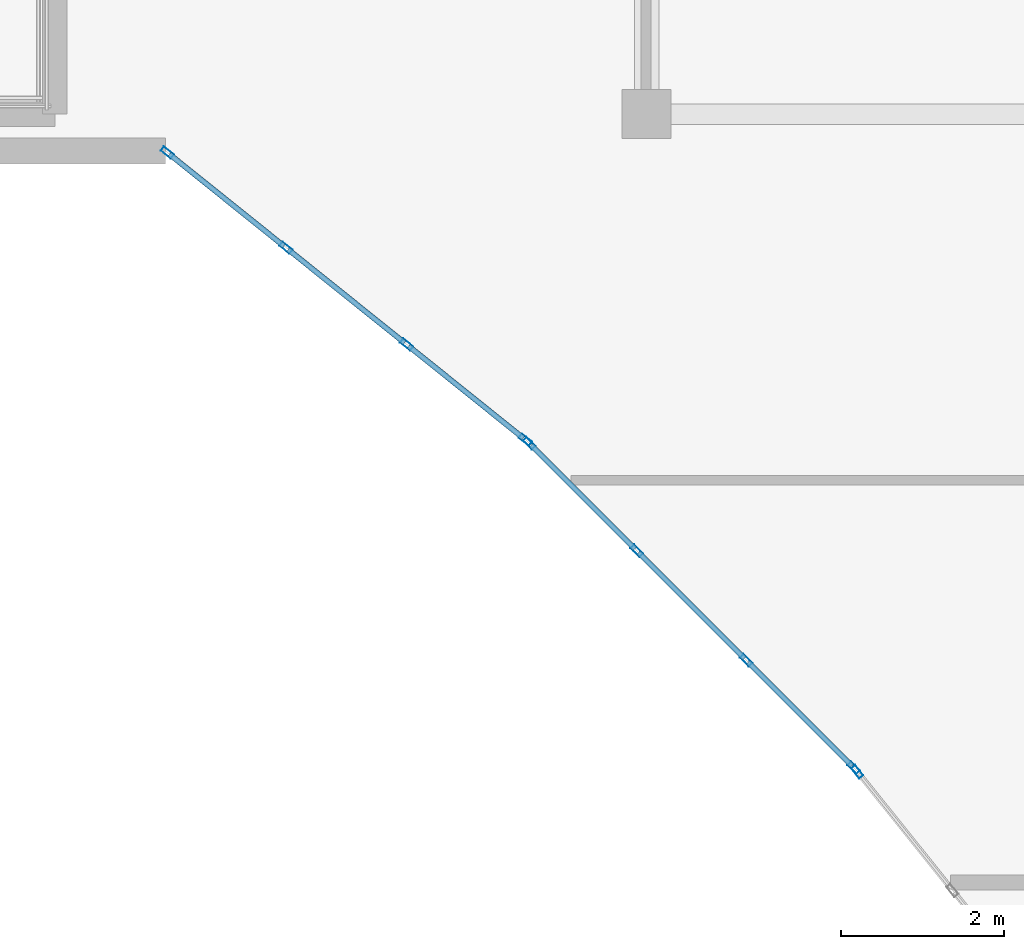
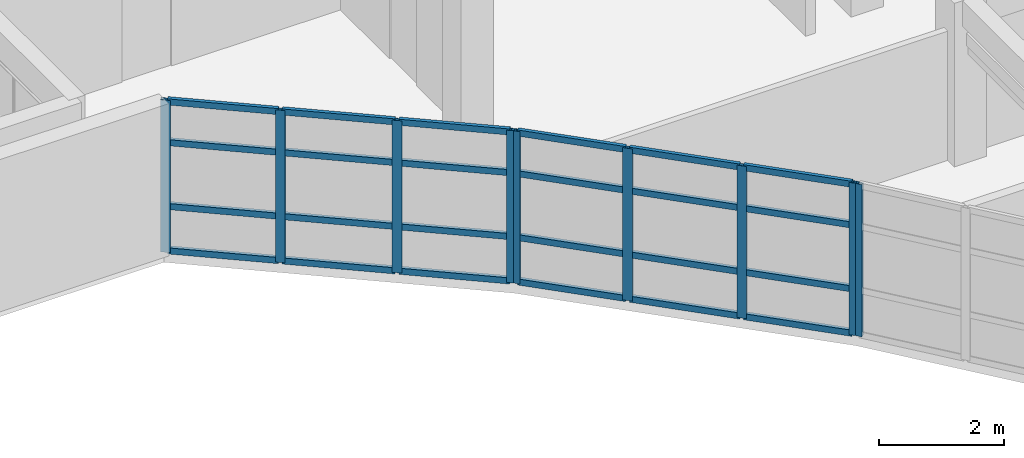
# One storey, part 18 of 72: 33 members, 3 elements without a shape of their own.
"""IFC4 building model written with IfcOpenShell, lengths in metres."""

from ifc_helpers import new_model, si_unit, direction, frame, origin, origin_2d, place, context, subcontext, project, spatial, hollow_rectangle, extrude, material, layer, layer_set, material_profile, profile_set, type_object, element, aggregate, save


model = new_model("IFC4")

# Units and contexts
model_context = context("Model", 3, precision=1e-05, world=origin(), true_north=direction((0.0, 1.0)))
body_context = subcontext(model_context, "Body", "Model", "MODEL_VIEW")
ifc_project = project(units=[si_unit("LENGTHUNIT", "METRE"), si_unit("AREAUNIT", "SQUARE_METRE"), si_unit("VOLUMEUNIT", "CUBIC_METRE"), si_unit("PLANEANGLEUNIT", "RADIAN"), si_unit("MASSUNIT", "GRAM", prefix="KILO")], contexts=[model_context])

# Site, building, storey
site_placement = place(None, origin())
site = spatial("IfcSite", under=ifc_project, at=site_placement, CompositionType="ELEMENT")
building_placement = place(site_placement, origin())
building = spatial("IfcBuilding", under=site, at=building_placement, Name="Keldmere Railside Commons", CompositionType="ELEMENT")
storey_placement = place(building_placement, frame((0.0, 0.0, 16.9599609375)))
storey = spatial("IfcBuildingStorey", under=building, at=storey_placement, Name="L05", CompositionType="ELEMENT", Elevation=16.9599609375)

# Curtain wall, members
ifc_material = material(Name="Thermally Broken Aluminium", Category="aluminium")
ifc_layer_1 = layer(ifc_material, 0.159912109375, Name="Court Chord Wintergarden CW 5400x2850")
ifc_layer_set_1 = layer_set([ifc_layer_1], Name="Thermally Broken Aluminium")
curtain_wall_type_1 = type_object("IfcCurtainWallType", Name="Court Chord Wintergarden CW 5400x2850", PredefinedType="NOTDEFINED", material=ifc_layer_set_1)
curtain_wall_1_placement = place(storey_placement, origin())
curtain_wall_1 = element("IfcCurtainWall", 1, at=curtain_wall_1_placement, inside=storey, type_object=curtain_wall_type_1, Name="CW-13 CW-L05-172", PredefinedType="NOTDEFINED")
ifc_material_profile_1 = material_profile(ifc_material, hollow_rectangle(XDim=0.06494140625, YDim=0.159912109375, WallThickness=0.00390625, at=origin_2d()), Name="ALU-MULL-65x160")
ifc_profile_set_1 = profile_set([ifc_material_profile_1], Name="Thermally Broken Aluminium")
member_type_1 = type_object("IfcMemberType", Name="Unitised Curtain Wall Mullion 65x160", PredefinedType="MULLION", material=ifc_profile_set_1)
member_1_placement = place(storey_placement, frame((160.404541015625, 96.46630859375, 0.0), z_axis=(0.0, 0.0, 1.0), x_axis=(-0.625768080915, -0.780009172323, 0.0)))
member_1 = element("IfcMember", 2, at=member_1_placement, type_object=member_type_1, Name="CW-13 mullion 1", PredefinedType="MULLION", context=body_context, shape_type="SweptSolid", body=[
    extrude(hollow_rectangle(XDim=0.06494140625, YDim=0.159912109375, WallThickness=0.00390625, at=origin_2d()), origin(), (0.0, 0.0, 1.0), 2.97998046875),
])
member_2_placement = place(storey_placement, frame((158.953369140625, 97.630615234375, 0.0), z_axis=(0.0, 0.0, 1.0), x_axis=(-0.625768080915, -0.780009172323, 0.0)))
member_2 = element("IfcMember", 3, at=member_2_placement, type_object=member_type_1, Name="CW-13 mullion 2", PredefinedType="MULLION", context=body_context, shape_type="SweptSolid", body=[
    extrude(hollow_rectangle(XDim=0.06494140625, YDim=0.159912109375, WallThickness=0.00390625, at=origin_2d()), origin(), (0.0, 0.0, 1.0), 2.97998046875),
])
member_3_placement = place(storey_placement, frame((157.4765625, 98.8154296875, 0.0), z_axis=(0.0, 0.0, 1.0), x_axis=(-0.625768080915, -0.780009172323, 0.0)))
member_3 = element("IfcMember", 4, at=member_3_placement, type_object=member_type_1, Name="CW-13 mullion 3", PredefinedType="MULLION", context=body_context, shape_type="SweptSolid", body=[
    extrude(hollow_rectangle(XDim=0.06494140625, YDim=0.159912109375, WallThickness=0.00390625, at=origin_2d()), origin(), (0.0, 0.0, 1.0), 2.97998046875),
])
member_4_placement = place(storey_placement, frame((156.025390625, 99.979736328125, 0.0), z_axis=(0.0, 0.0, 1.0), x_axis=(-0.625768080915, -0.780009172323, 0.0)))
member_4 = element("IfcMember", 5, at=member_4_placement, type_object=member_type_1, Name="CW-13 mullion 4", PredefinedType="MULLION", context=body_context, shape_type="SweptSolid", body=[
    extrude(hollow_rectangle(XDim=0.06494140625, YDim=0.159912109375, WallThickness=0.00390625, at=origin_2d()), origin(), (0.0, 0.0, 1.0), 2.97998046875),
])

ifc_layer_2 = layer(ifc_material, 0.159912109375, Name="Court Chord Wintergarden CW 4800x2850")
ifc_layer_set_2 = layer_set([ifc_layer_2], Name="Thermally Broken Aluminium")
curtain_wall_type_2 = type_object("IfcCurtainWallType", Name="Court Chord Wintergarden CW 4800x2850", PredefinedType="NOTDEFINED", material=ifc_layer_set_2)
curtain_wall_2_placement = place(storey_placement, origin())
curtain_wall_2 = element("IfcCurtainWall", 6, at=curtain_wall_2_placement, inside=storey, type_object=curtain_wall_type_2, Name="CW-12 CW-L05-173", PredefinedType="NOTDEFINED")
member_5_placement = place(storey_placement, frame((164.423095703125, 92.452880859375, 0.0), z_axis=(0.0, 0.0, 1.0), x_axis=(-0.707106781187, -0.707106781187, 0.0)))
member_5 = element("IfcMember", 7, at=member_5_placement, type_object=member_type_1, Name="CW-12 mullion 1", PredefinedType="MULLION", context=body_context, shape_type="SweptSolid", body=[
    extrude(hollow_rectangle(XDim=0.06494140625, YDim=0.159912109375, WallThickness=0.00390625, at=origin_2d()), origin(), (0.0, 0.0, 1.0), 2.97998046875),
])
member_6_placement = place(storey_placement, frame((163.107421875, 93.7685546875, 0.0), z_axis=(0.0, 0.0, 1.0), x_axis=(-0.707106781187, -0.707106781187, 0.0)))
member_6 = element("IfcMember", 8, at=member_6_placement, type_object=member_type_1, Name="CW-12 mullion 2", PredefinedType="MULLION", context=body_context, shape_type="SweptSolid", body=[
    extrude(hollow_rectangle(XDim=0.06494140625, YDim=0.159912109375, WallThickness=0.00390625, at=origin_2d()), origin(), (0.0, 0.0, 1.0), 2.97998046875),
])
member_7_placement = place(storey_placement, frame((161.7685546875, 95.107421875, 0.0), z_axis=(0.0, 0.0, 1.0), x_axis=(-0.707106781187, -0.707106781187, 0.0)))
member_7 = element("IfcMember", 9, at=member_7_placement, type_object=member_type_1, Name="CW-12 mullion 3", PredefinedType="MULLION", context=body_context, shape_type="SweptSolid", body=[
    extrude(hollow_rectangle(XDim=0.06494140625, YDim=0.159912109375, WallThickness=0.00390625, at=origin_2d()), origin(), (0.0, 0.0, 1.0), 2.97998046875),
])
member_8_placement = place(storey_placement, frame((160.452880859375, 96.423095703125, 0.0), z_axis=(0.0, 0.0, 1.0), x_axis=(-0.707106781187, -0.707106781187, 0.0)))
member_8 = element("IfcMember", 10, at=member_8_placement, type_object=member_type_1, Name="CW-12 mullion 4", PredefinedType="MULLION", context=body_context, shape_type="SweptSolid", body=[
    extrude(hollow_rectangle(XDim=0.06494140625, YDim=0.159912109375, WallThickness=0.00390625, at=origin_2d()), origin(), (0.0, 0.0, 1.0), 2.97998046875),
])

# Curtain wall, member
curtain_wall_3_placement = place(storey_placement, origin())
curtain_wall_3 = element("IfcCurtainWall", 11, at=curtain_wall_3_placement, inside=storey, type_object=curtain_wall_type_1, Name="CW-13 CW-L05-174", PredefinedType="NOTDEFINED")
member_9_placement = place(storey_placement, frame((164.46630859375, 92.404541015625, 0.0), z_axis=(0.0, 0.0, 1.0), x_axis=(-0.780009172323, -0.625768080915, 0.0)))
member_9 = element("IfcMember", 12, at=member_9_placement, type_object=member_type_1, Name="CW-13 mullion 4", PredefinedType="MULLION", context=body_context, shape_type="SweptSolid", body=[
    extrude(hollow_rectangle(XDim=0.06494140625, YDim=0.159912109375, WallThickness=0.00390625, at=origin_2d()), origin(), (0.0, 0.0, 1.0), 2.97998046875),
])
aggregate(curtain_wall_3, [member_9])

# Member
ifc_material_profile_2 = material_profile(ifc_material, hollow_rectangle(XDim=0.06494140625, YDim=0.1201171875, WallThickness=0.00390625, at=origin_2d()), Name="ALU-TRAN-65x120")
ifc_profile_set_2 = profile_set([ifc_material_profile_2], Name="Thermally Broken Aluminium")
member_type_2 = type_object("IfcMemberType", Name="Unitised Curtain Wall Transom 65x120", PredefinedType="USERDEFINED", material=ifc_profile_set_2)
member_10_placement = place(storey_placement, frame((160.37939453125, 96.486572265625, 0.032470703125), z_axis=(-0.779979331565, 0.625805275091, 0.0), x_axis=(-0.625805275091, -0.779979331565, 0.0)))
member_10 = element("IfcMember", 13, at=member_10_placement, type_object=member_type_2, Name="CW-13 transom 1.1", ObjectType="TRANSOM", PredefinedType="USERDEFINED", context=body_context, shape_type="SweptSolid", body=[
    extrude(hollow_rectangle(XDim=0.06494140625, YDim=0.1201171875, WallThickness=0.00390625, at=origin_2d()), origin(), (0.0, 0.0, 1.0), 1.795654296875),
])

member_11_placement = place(storey_placement, frame((160.37939453125, 96.486572265625, 0.900146484375), z_axis=(-0.779979331565, 0.625805275091, 0.0), x_axis=(-0.625805275091, -0.779979331565, 0.0)))
member_11 = element("IfcMember", 14, at=member_11_placement, type_object=member_type_2, Name="CW-13 transom 1.2", ObjectType="TRANSOM", PredefinedType="USERDEFINED", context=body_context, shape_type="SweptSolid", body=[
    extrude(hollow_rectangle(XDim=0.06494140625, YDim=0.1201171875, WallThickness=0.00390625, at=origin_2d()), origin(), (0.0, 0.0, 1.0), 1.795654296875),
])

member_12_placement = place(storey_placement, frame((160.37939453125, 96.486572265625, 2.150146484375), z_axis=(-0.779979331565, 0.625805275091, 0.0), x_axis=(-0.625805275091, -0.779979331565, 0.0)))
member_12 = element("IfcMember", 15, at=member_12_placement, type_object=member_type_2, Name="CW-13 transom 1.3", ObjectType="TRANSOM", PredefinedType="USERDEFINED", context=body_context, shape_type="SweptSolid", body=[
    extrude(hollow_rectangle(XDim=0.06494140625, YDim=0.1201171875, WallThickness=0.00390625, at=origin_2d()), origin(), (0.0, 0.0, 1.0), 1.795654296875),
])

member_13_placement = place(storey_placement, frame((160.37939453125, 96.486572265625, 2.947509765625), z_axis=(-0.779979331565, 0.625805275091, 0.0), x_axis=(-0.625805275091, -0.779979331565, 0.0)))
member_13 = element("IfcMember", 16, at=member_13_placement, type_object=member_type_2, Name="CW-13 transom 1.4", ObjectType="TRANSOM", PredefinedType="USERDEFINED", context=body_context, shape_type="SweptSolid", body=[
    extrude(hollow_rectangle(XDim=0.06494140625, YDim=0.1201171875, WallThickness=0.00390625, at=origin_2d()), origin(), (0.0, 0.0, 1.0), 1.795654296875),
])

member_14_placement = place(storey_placement, frame((158.927978515625, 97.651123046875, 0.032470703125), z_axis=(-0.78007338409, 0.625688033635, 0.0), x_axis=(-0.625688033635, -0.78007338409, 0.0)))
member_14 = element("IfcMember", 17, at=member_14_placement, type_object=member_type_2, Name="CW-13 transom 2.1", ObjectType="TRANSOM", PredefinedType="USERDEFINED", context=body_context, shape_type="SweptSolid", body=[
    extrude(hollow_rectangle(XDim=0.06494140625, YDim=0.1201171875, WallThickness=0.00390625, at=origin_2d()), origin(), (0.0, 0.0, 1.0), 1.828125),
])

member_15_placement = place(storey_placement, frame((158.927978515625, 97.651123046875, 0.900146484375), z_axis=(-0.78007338409, 0.625688033635, 0.0), x_axis=(-0.625688033635, -0.78007338409, 0.0)))
member_15 = element("IfcMember", 18, at=member_15_placement, type_object=member_type_2, Name="CW-13 transom 2.2", ObjectType="TRANSOM", PredefinedType="USERDEFINED", context=body_context, shape_type="SweptSolid", body=[
    extrude(hollow_rectangle(XDim=0.06494140625, YDim=0.1201171875, WallThickness=0.00390625, at=origin_2d()), origin(), (0.0, 0.0, 1.0), 1.828125),
])

member_16_placement = place(storey_placement, frame((158.927978515625, 97.651123046875, 2.150146484375), z_axis=(-0.78007338409, 0.625688033635, 0.0), x_axis=(-0.625688033635, -0.78007338409, 0.0)))
member_16 = element("IfcMember", 19, at=member_16_placement, type_object=member_type_2, Name="CW-13 transom 2.3", ObjectType="TRANSOM", PredefinedType="USERDEFINED", context=body_context, shape_type="SweptSolid", body=[
    extrude(hollow_rectangle(XDim=0.06494140625, YDim=0.1201171875, WallThickness=0.00390625, at=origin_2d()), origin(), (0.0, 0.0, 1.0), 1.828125),
])

member_17_placement = place(storey_placement, frame((158.927978515625, 97.651123046875, 2.947509765625), z_axis=(-0.78007338409, 0.625688033635, 0.0), x_axis=(-0.625688033635, -0.78007338409, 0.0)))
member_17 = element("IfcMember", 20, at=member_17_placement, type_object=member_type_2, Name="CW-13 transom 2.4", ObjectType="TRANSOM", PredefinedType="USERDEFINED", context=body_context, shape_type="SweptSolid", body=[
    extrude(hollow_rectangle(XDim=0.06494140625, YDim=0.1201171875, WallThickness=0.00390625, at=origin_2d()), origin(), (0.0, 0.0, 1.0), 1.828125),
])

member_18_placement = place(storey_placement, frame((157.451416015625, 98.835693359375, 0.032470703125), z_axis=(-0.780045694992, 0.625722553313, 0.0), x_axis=(-0.625722553313, -0.780045694992, 0.0)))
member_18 = element("IfcMember", 21, at=member_18_placement, type_object=member_type_2, Name="CW-13 transom 3.1", ObjectType="TRANSOM", PredefinedType="USERDEFINED", context=body_context, shape_type="SweptSolid", body=[
    extrude(hollow_rectangle(XDim=0.06494140625, YDim=0.1201171875, WallThickness=0.00390625, at=origin_2d()), origin(), (0.0, 0.0, 1.0), 1.795654296875),
])

member_19_placement = place(storey_placement, frame((157.451416015625, 98.835693359375, 0.900146484375), z_axis=(-0.780045694992, 0.625722553313, 0.0), x_axis=(-0.625722553313, -0.780045694992, 0.0)))
member_19 = element("IfcMember", 22, at=member_19_placement, type_object=member_type_2, Name="CW-13 transom 3.2", ObjectType="TRANSOM", PredefinedType="USERDEFINED", context=body_context, shape_type="SweptSolid", body=[
    extrude(hollow_rectangle(XDim=0.06494140625, YDim=0.1201171875, WallThickness=0.00390625, at=origin_2d()), origin(), (0.0, 0.0, 1.0), 1.795654296875),
])

member_20_placement = place(storey_placement, frame((157.451416015625, 98.835693359375, 2.150146484375), z_axis=(-0.780045694992, 0.625722553313, 0.0), x_axis=(-0.625722553313, -0.780045694992, 0.0)))
member_20 = element("IfcMember", 23, at=member_20_placement, type_object=member_type_2, Name="CW-13 transom 3.3", ObjectType="TRANSOM", PredefinedType="USERDEFINED", context=body_context, shape_type="SweptSolid", body=[
    extrude(hollow_rectangle(XDim=0.06494140625, YDim=0.1201171875, WallThickness=0.00390625, at=origin_2d()), origin(), (0.0, 0.0, 1.0), 1.795654296875),
])

member_21_placement = place(storey_placement, frame((157.451416015625, 98.835693359375, 2.947509765625), z_axis=(-0.780045694992, 0.625722553313, 0.0), x_axis=(-0.625722553313, -0.780045694992, 0.0)))
member_21 = element("IfcMember", 24, at=member_21_placement, type_object=member_type_2, Name="CW-13 transom 3.4", ObjectType="TRANSOM", PredefinedType="USERDEFINED", context=body_context, shape_type="SweptSolid", body=[
    extrude(hollow_rectangle(XDim=0.06494140625, YDim=0.1201171875, WallThickness=0.00390625, at=origin_2d()), origin(), (0.0, 0.0, 1.0), 1.795654296875),
])

aggregate(curtain_wall_1, [member_1, member_2, member_3, member_4, member_10, member_11, member_12, member_13, member_14, member_15, member_16, member_17, member_18, member_19, member_20, member_21])

member_22_placement = place(storey_placement, frame((164.400146484375, 92.47607421875, 0.032470703125), z_axis=(-0.707174762418, 0.707038793419, 0.0), x_axis=(-0.707038793419, -0.707174762418, 0.0)))
member_22 = element("IfcMember", 25, at=member_22_placement, type_object=member_type_2, Name="CW-12 transom 1.1", ObjectType="TRANSOM", PredefinedType="USERDEFINED", context=body_context, shape_type="SweptSolid", body=[
    extrude(hollow_rectangle(XDim=0.06494140625, YDim=0.1201171875, WallThickness=0.00390625, at=origin_2d()), origin(), (0.0, 0.0, 1.0), 1.795654296875),
])

member_23_placement = place(storey_placement, frame((164.400146484375, 92.47607421875, 0.900146484375), z_axis=(-0.707174762418, 0.707038793419, 0.0), x_axis=(-0.707038793419, -0.707174762418, 0.0)))
member_23 = element("IfcMember", 26, at=member_23_placement, type_object=member_type_2, Name="CW-12 transom 1.2", ObjectType="TRANSOM", PredefinedType="USERDEFINED", context=body_context, shape_type="SweptSolid", body=[
    extrude(hollow_rectangle(XDim=0.06494140625, YDim=0.1201171875, WallThickness=0.00390625, at=origin_2d()), origin(), (0.0, 0.0, 1.0), 1.795654296875),
])

member_24_placement = place(storey_placement, frame((164.400146484375, 92.47607421875, 2.150146484375), z_axis=(-0.707174762418, 0.707038793419, 0.0), x_axis=(-0.707038793419, -0.707174762418, 0.0)))
member_24 = element("IfcMember", 27, at=member_24_placement, type_object=member_type_2, Name="CW-12 transom 1.3", ObjectType="TRANSOM", PredefinedType="USERDEFINED", context=body_context, shape_type="SweptSolid", body=[
    extrude(hollow_rectangle(XDim=0.06494140625, YDim=0.1201171875, WallThickness=0.00390625, at=origin_2d()), origin(), (0.0, 0.0, 1.0), 1.795654296875),
])

member_25_placement = place(storey_placement, frame((164.400146484375, 92.47607421875, 2.947509765625), z_axis=(-0.707174762418, 0.707038793419, 0.0), x_axis=(-0.707038793419, -0.707174762418, 0.0)))
member_25 = element("IfcMember", 28, at=member_25_placement, type_object=member_type_2, Name="CW-12 transom 1.4", ObjectType="TRANSOM", PredefinedType="USERDEFINED", context=body_context, shape_type="SweptSolid", body=[
    extrude(hollow_rectangle(XDim=0.06494140625, YDim=0.1201171875, WallThickness=0.00390625, at=origin_2d()), origin(), (0.0, 0.0, 1.0), 1.795654296875),
])

member_26_placement = place(storey_placement, frame((163.08447265625, 93.791748046875, 0.032470703125), z_axis=(-0.707106781187, 0.707106781187, 0.0), x_axis=(-0.707106781187, -0.707106781187, 0.0)))
member_26 = element("IfcMember", 29, at=member_26_placement, type_object=member_type_2, Name="CW-12 transom 2.1", ObjectType="TRANSOM", PredefinedType="USERDEFINED", context=body_context, shape_type="SweptSolid", body=[
    extrude(hollow_rectangle(XDim=0.06494140625, YDim=0.1201171875, WallThickness=0.00390625, at=origin_2d()), origin(), (0.0, 0.0, 1.0), 1.828125),
])

member_27_placement = place(storey_placement, frame((163.08447265625, 93.791748046875, 0.900146484375), z_axis=(-0.707106781187, 0.707106781187, 0.0), x_axis=(-0.707106781187, -0.707106781187, 0.0)))
member_27 = element("IfcMember", 30, at=member_27_placement, type_object=member_type_2, Name="CW-12 transom 2.2", ObjectType="TRANSOM", PredefinedType="USERDEFINED", context=body_context, shape_type="SweptSolid", body=[
    extrude(hollow_rectangle(XDim=0.06494140625, YDim=0.1201171875, WallThickness=0.00390625, at=origin_2d()), origin(), (0.0, 0.0, 1.0), 1.828125),
])

member_28_placement = place(storey_placement, frame((163.08447265625, 93.791748046875, 2.150146484375), z_axis=(-0.707106781187, 0.707106781187, 0.0), x_axis=(-0.707106781187, -0.707106781187, 0.0)))
member_28 = element("IfcMember", 31, at=member_28_placement, type_object=member_type_2, Name="CW-12 transom 2.3", ObjectType="TRANSOM", PredefinedType="USERDEFINED", context=body_context, shape_type="SweptSolid", body=[
    extrude(hollow_rectangle(XDim=0.06494140625, YDim=0.1201171875, WallThickness=0.00390625, at=origin_2d()), origin(), (0.0, 0.0, 1.0), 1.828125),
])

member_29_placement = place(storey_placement, frame((163.08447265625, 93.791748046875, 2.947509765625), z_axis=(-0.707106781187, 0.707106781187, 0.0), x_axis=(-0.707106781187, -0.707106781187, 0.0)))
member_29 = element("IfcMember", 32, at=member_29_placement, type_object=member_type_2, Name="CW-12 transom 2.4", ObjectType="TRANSOM", PredefinedType="USERDEFINED", context=body_context, shape_type="SweptSolid", body=[
    extrude(hollow_rectangle(XDim=0.06494140625, YDim=0.1201171875, WallThickness=0.00390625, at=origin_2d()), origin(), (0.0, 0.0, 1.0), 1.828125),
])

member_30_placement = place(storey_placement, frame((161.74560546875, 95.13037109375, 0.032470703125), z_axis=(-0.707038793419, 0.707174762418, 0.0), x_axis=(-0.707174762418, -0.707038793419, 0.0)))
member_30 = element("IfcMember", 33, at=member_30_placement, type_object=member_type_2, Name="CW-12 transom 3.1", ObjectType="TRANSOM", PredefinedType="USERDEFINED", context=body_context, shape_type="SweptSolid", body=[
    extrude(hollow_rectangle(XDim=0.06494140625, YDim=0.1201171875, WallThickness=0.00390625, at=origin_2d()), origin(), (0.0, 0.0, 1.0), 1.795654296875),
])

member_31_placement = place(storey_placement, frame((161.74560546875, 95.13037109375, 0.900146484375), z_axis=(-0.707038793419, 0.707174762418, 0.0), x_axis=(-0.707174762418, -0.707038793419, 0.0)))
member_31 = element("IfcMember", 34, at=member_31_placement, type_object=member_type_2, Name="CW-12 transom 3.2", ObjectType="TRANSOM", PredefinedType="USERDEFINED", context=body_context, shape_type="SweptSolid", body=[
    extrude(hollow_rectangle(XDim=0.06494140625, YDim=0.1201171875, WallThickness=0.00390625, at=origin_2d()), origin(), (0.0, 0.0, 1.0), 1.795654296875),
])

member_32_placement = place(storey_placement, frame((161.74560546875, 95.13037109375, 2.150146484375), z_axis=(-0.707038793419, 0.707174762418, 0.0), x_axis=(-0.707174762418, -0.707038793419, 0.0)))
member_32 = element("IfcMember", 35, at=member_32_placement, type_object=member_type_2, Name="CW-12 transom 3.3", ObjectType="TRANSOM", PredefinedType="USERDEFINED", context=body_context, shape_type="SweptSolid", body=[
    extrude(hollow_rectangle(XDim=0.06494140625, YDim=0.1201171875, WallThickness=0.00390625, at=origin_2d()), origin(), (0.0, 0.0, 1.0), 1.795654296875),
])

member_33_placement = place(storey_placement, frame((161.74560546875, 95.13037109375, 2.947509765625), z_axis=(-0.707038793419, 0.707174762418, 0.0), x_axis=(-0.707174762418, -0.707038793419, 0.0)))
member_33 = element("IfcMember", 36, at=member_33_placement, type_object=member_type_2, Name="CW-12 transom 3.4", ObjectType="TRANSOM", PredefinedType="USERDEFINED", context=body_context, shape_type="SweptSolid", body=[
    extrude(hollow_rectangle(XDim=0.06494140625, YDim=0.1201171875, WallThickness=0.00390625, at=origin_2d()), origin(), (0.0, 0.0, 1.0), 1.795654296875),
])

aggregate(curtain_wall_2, [member_5, member_6, member_7, member_8, member_22, member_23, member_24, member_25, member_26, member_27, member_28, member_29, member_30, member_31, member_32, member_33])

save(model, "model.ifc")
